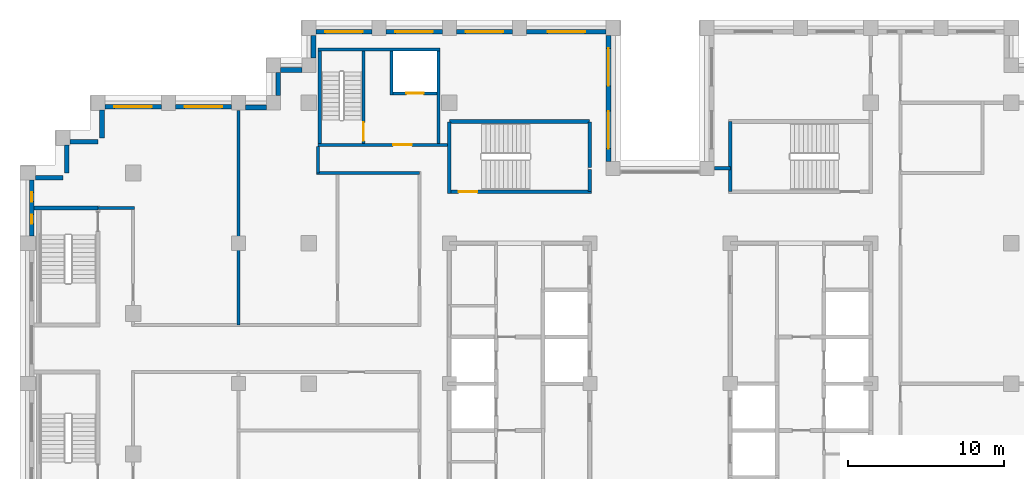
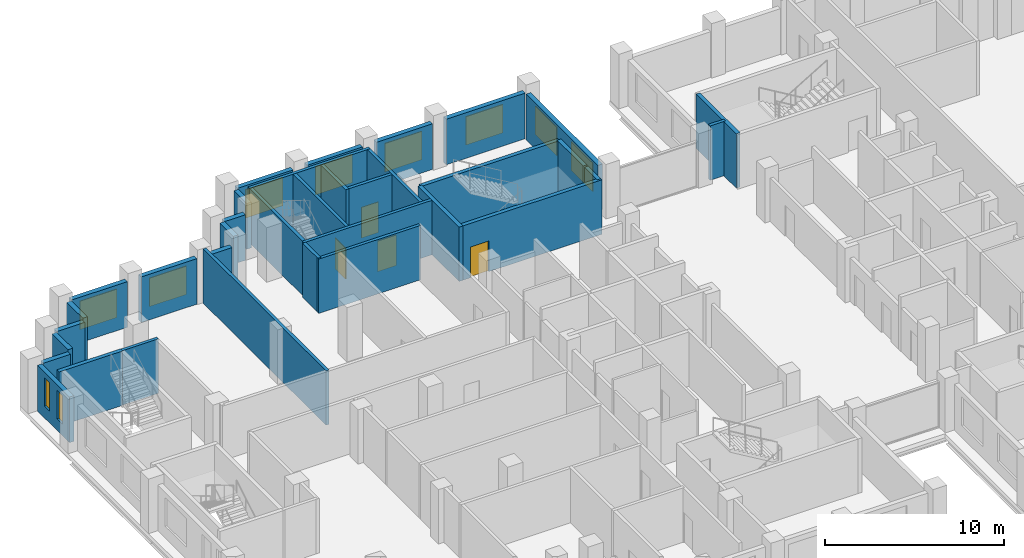
# One storey, part 10 of 15: 35 walls, 10 windows, 4 doors, 14 openings.
"""IFC4 building model written with IfcOpenShell, lengths in metres."""

import ifcopenshell
import ifcopenshell.guid

model = None  # the IFC model being written
_history = None  # IfcOwnerHistory: only IFC2X3 demands one
_inside = {}  # id of a spatial element -> (the spatial element, [elements in it])
_under = {}  # id of a project, library or spatial element -> (it, [spatial elements below it])
_declared = {}  # id of a project -> (the project, [libraries it declares])
_typed = {}  # id of a type object -> (the type object, [elements of that type])
_made_of = {}  # id of a material, layer set ... -> (it, [elements and type objects made of it])


def new_model(schema):
    """Start an empty IFC model of exactly this schema.

    Asked for "IFC4X3", IfcOpenShell would pick the latest addendum, in which some entities
    have other attributes; the version numbers below select the first issue.
    IFC2X3 requires an IfcOwnerHistory on every rooted entity: one is made here for all.
    """
    global model, _history
    if schema == "IFC4X3":
        model = ifcopenshell.file(schema_version=(4, 3, 0, 0))
    else:
        model = ifcopenshell.file(schema=schema)
    _inside.clear()
    _under.clear()
    _declared.clear()
    _typed.clear()
    _made_of.clear()
    _history = None
    if model.schema == "IFC2X3":
        org = make("IfcOrganization", Name="unknown")
        user = make(
            "IfcPersonAndOrganization",
            ThePerson=make("IfcPerson", FamilyName="unknown"),
            TheOrganization=org,
        )
        app = make(
            "IfcApplication",
            ApplicationDeveloper=org,
            Version="unknown",
            ApplicationFullName="unknown",
            ApplicationIdentifier="unknown",
        )
        _history = make(
            "IfcOwnerHistory",
            OwningUser=user,
            OwningApplication=app,
            ChangeAction="ADDED",
            CreationDate=0,
        )
    return model


def make(cls, **values):
    """One entity of the class cls with the attributes given. An attribute that is None is left unset."""
    return model.create_entity(
        cls, **{name: value for name, value in values.items() if value is not None}
    )


def rooted(cls, **values):
    """An entity with a GlobalId (a new one), such as an element, a storey or a relation."""
    return make(cls, GlobalId=ifcopenshell.guid.new(), OwnerHistory=_history, **values)


def si_unit(unit_type, name, prefix=None):
    """IfcSIUnit, for example si_unit("LENGTHUNIT", "METRE", prefix="MILLI")."""
    return make("IfcSIUnit", UnitType=unit_type, Prefix=prefix, Name=name)


def assignment(units):
    """IfcUnitAssignment: the units of a project."""
    return None if units is None else make("IfcUnitAssignment", Units=units)


def point(xyz):
    """IfcCartesianPoint."""
    return None if xyz is None else make("IfcCartesianPoint", Coordinates=xyz)


def direction(xyz):
    """IfcDirection."""
    return None if xyz is None else make("IfcDirection", DirectionRatios=xyz)


def frame(location, z_axis=None, x_axis=None):
    """IfcAxis2Placement3D, a coordinate frame: its origin and axes. An axis left out is left unset."""
    return make(
        "IfcAxis2Placement3D",
        Location=point(location),
        Axis=direction(z_axis),
        RefDirection=direction(x_axis),
    )


def frame_2d(location, x_axis=None):
    """IfcAxis2Placement2D, a coordinate frame in the plane: its origin and x axis."""
    return make(
        "IfcAxis2Placement2D", Location=point(location), RefDirection=direction(x_axis)
    )


def origin():
    """The frame at (0, 0, 0) with its axes left unset."""
    return frame((0.0, 0.0, 0.0))


def place(relative_to, where):
    """IfcLocalPlacement: puts the frame where relative to a parent placement (None: the world)."""
    return make(
        "IfcLocalPlacement", PlacementRelTo=relative_to, RelativePlacement=where
    )


def context(
    kind, dimensions, precision=None, world=None, true_north=None, identifier=None
):
    """IfcGeometricRepresentationContext, for example the 3D "Model" context."""
    return make(
        "IfcGeometricRepresentationContext",
        ContextIdentifier=identifier,
        ContextType=kind,
        CoordinateSpaceDimension=dimensions,
        Precision=precision,
        WorldCoordinateSystem=world,
        TrueNorth=true_north,
    )


def subcontext(parent, identifier, kind, view, scale=None):
    """IfcGeometricRepresentationSubContext, for example "Body" below "Model"."""
    return make(
        "IfcGeometricRepresentationSubContext",
        ContextIdentifier=identifier,
        ContextType=kind,
        ParentContext=parent,
        TargetScale=scale,
        TargetView=view,
    )


def project(units=None, contexts=None):
    """IfcProject with its units and contexts."""
    return rooted(
        "IfcProject",
        Name="project",
        RepresentationContexts=contexts,
        UnitsInContext=assignment(units),
    )


def spatial(cls, under=None, at=None, **own):
    """A site, building, storey or space (cls), placed at a placement, below another one or the project."""
    s = rooted(cls, ObjectPlacement=at, **own)
    if under is not None:
        _under.setdefault(under.id(), (under, []))[1].append(s)
    return s


def profile(cls, at=None, kind="AREA", **sizes):
    """A parametric profile (cls). Its sizes go by their IFC names, for example OverallWidth=200.0."""
    return make(cls, ProfileType=kind, Position=at, **sizes)


def rectangle(**sizes):
    """IfcRectangleProfileDef."""
    return profile("IfcRectangleProfileDef", **sizes)


def extrude(swept, where, along, depth):
    """IfcExtrudedAreaSolid: the profile swept, set in the frame where, extruded along a direction by depth."""
    return make(
        "IfcExtrudedAreaSolid",
        SweptArea=swept,
        Position=where,
        ExtrudedDirection=direction(along),
        Depth=depth,
    )


def shape(context_of_items, identifier, shape_type, items):
    """IfcShapeRepresentation: the items that make up one representation, for example the "Body"."""
    return make(
        "IfcShapeRepresentation",
        ContextOfItems=context_of_items,
        RepresentationIdentifier=identifier,
        RepresentationType=shape_type,
        Items=items,
    )


def material(Name=None, Category=None):
    """IfcMaterial."""
    return make("IfcMaterial", Name=Name, Category=Category)


def layer(
    of_material, thickness, ventilated=None, Name=None, Category=None, Priority=None
):
    """IfcMaterialLayer: one layer of a wall or slab, of a material (None: an air gap)."""
    return make(
        "IfcMaterialLayer",
        Material=of_material,
        LayerThickness=thickness,
        IsVentilated=ventilated,
        Name=Name,
        Category=Category,
        Priority=Priority,
    )


def layer_set(layers, Name=None):
    """IfcMaterialLayerSet."""
    return make("IfcMaterialLayerSet", MaterialLayers=layers, LayerSetName=Name)


def made_of(thing, what):
    """Note that an element or type object is made of a material, layer set ...; save() writes the relation."""
    if what is not None:
        _made_of.setdefault(what.id(), (what, []))[1].append(thing)
    return thing


def type_object(cls, material=None, **own):
    """A type object (cls), such as IfcWallType, which elements share."""
    return made_of(rooted(cls, **own), material)


def element(
    cls,
    number,
    at=None,
    inside=None,
    cuts=None,
    type_object=None,
    material=None,
    context=None,
    identifier="Body",
    shape_type=None,
    held_by="IfcProductDefinitionShape",
    body=None,
    shapes=None,
    **own,
):
    """One element of the class cls, such as IfcWall. Its Tag is "e" and its number.

    at: its placement. inside: the storey or other place that contains it. cuts: it is an
    opening in that element (IfcRelVoidsElement). A single representation is given by context,
    identifier, shape_type and body (its items); several are given by shapes. held_by: the class
    of the entity that holds the representations. save() writes the other relations.
    """
    e = rooted(cls, Tag="e%d" % number, ObjectPlacement=at, **own)
    if body is not None:
        shapes = [shape(context, identifier, shape_type, body)]
    if shapes is not None:
        e.Representation = make(held_by, Representations=shapes)
    if inside is not None:
        _inside.setdefault(inside.id(), (inside, []))[1].append(e)
    if cuts is not None:
        rooted(
            "IfcRelVoidsElement", RelatingBuildingElement=cuts, RelatedOpeningElement=e
        )
    if type_object is not None:
        _typed.setdefault(type_object.id(), (type_object, []))[1].append(e)
    return made_of(e, material)


def fill(opening, filler):
    """IfcRelFillsElement: the door or window that sits in an opening."""
    return rooted(
        "IfcRelFillsElement",
        RelatingOpeningElement=opening,
        RelatedBuildingElement=filler,
    )


def aggregate(whole, parts):
    """IfcRelAggregates: a whole, such as a stair, and the parts it consists of."""
    return rooted("IfcRelAggregates", RelatingObject=whole, RelatedObjects=parts)


def save(model, path):
    """Write the relations noted so far, then the file.

    IfcRelAggregates (storeys below a building ...), IfcRelContainedInSpatialStructure (elements
    in a storey), IfcRelDefinesByType, IfcRelAssociatesMaterial and IfcRelDeclares: one each for
    every whole, place, type object, material and project.
    """
    for whole, parts in _under.values():
        aggregate(whole, parts)
    for where, things in _inside.values():
        rooted(
            "IfcRelContainedInSpatialStructure",
            RelatedElements=things,
            RelatingStructure=where,
        )
    for kind, things in _typed.values():
        rooted("IfcRelDefinesByType", RelatedObjects=things, RelatingType=kind)
    for what, things in _made_of.values():
        rooted("IfcRelAssociatesMaterial", RelatedObjects=things, RelatingMaterial=what)
    for by, libraries in _declared.values():
        rooted("IfcRelDeclares", RelatingContext=by, RelatedDefinitions=libraries)
    model.write(path)


model = new_model("IFC4")

# Units and contexts
model_context = context("Model", 3, precision=1e-05, world=origin(), true_north=direction((0.0, 1.0)))
body_context = subcontext(model_context, "Body", "Model", "MODEL_VIEW")
ifc_project = project(units=[si_unit("LENGTHUNIT", "METRE"), si_unit("AREAUNIT", "SQUARE_METRE"), si_unit("VOLUMEUNIT", "CUBIC_METRE"), si_unit("PLANEANGLEUNIT", "RADIAN"), si_unit("MASSUNIT", "GRAM", prefix="KILO")], contexts=[model_context])

# Site, building, storey
site_placement = place(None, origin())
site = spatial("IfcSite", under=ifc_project, at=site_placement, CompositionType="ELEMENT")
building_placement = place(site_placement, origin())
building = spatial("IfcBuilding", under=site, at=building_placement, Name="Corbelhall Arena Tower", CompositionType="ELEMENT")
storey_placement = place(building_placement, frame((0.0, 0.0, 212.0)))
storey = spatial("IfcBuildingStorey", under=building, at=storey_placement, Name="L44", CompositionType="ELEMENT", Elevation=212.0)

# Walls
ifc_material_1 = material(Name="Precast concrete C40/50 with granite facing", Category="masonry")
ifc_layer_1 = layer(ifc_material_1, 0.300048828125)
ifc_layer_set_1 = layer_set([ifc_layer_1], Name="EV-IW1 Infill panel 300")
wall_type_1 = type_object("IfcWallType", Name="EV-IW1 Infill panel 300", PredefinedType="SOLIDWALL", material=ifc_layer_set_1)
for number, where, z_axis, x_axis, name in (
    (1, (-35.75, 17.550048828125, 0.0), (0.0, 0.0, 1.0), (0.0, -1.0, 0.0), "Infill panel IW1"),
    (2, (-37.800048828125, 15.5, 0.0), (0.0, 0.0, 1.0), (1.0, 0.0, 0.0), "Infill panel IW1"),
    (3, (-38.0, 15.300048828125, 0.0), (0.0, 0.0, 1.0), (0.0, -1.0, 0.0), "Infill panel IW1"),
):
    element("IfcWall", number, at=place(storey_placement, frame(where, z_axis=z_axis, x_axis=x_axis)), inside=storey, type_object=wall_type_1, Name=name, PredefinedType="SOLIDWALL", context=body_context, shape_type="SweptSolid", body=[
        extrude(rectangle(XDim=1.800048828125, YDim=0.300048828125, at=frame_2d((0.89990234375, 0.0))), origin(), (0.0, 0.0, 1.0), 3.1201171875),
    ])
wall_1_placement = place(storey_placement, frame((-40.0, 13.199951171875, 0.0), z_axis=(0.0, 0.0, 1.0), x_axis=(1.0, 0.0, 0.0)))
element("IfcWall", 4, at=wall_1_placement, inside=storey, type_object=wall_type_1, Name="Infill panel IW1", PredefinedType="SOLIDWALL", context=body_context, shape_type="SweptSolid", body=[
    extrude(rectangle(XDim=1.75, YDim=0.300048828125, at=frame_2d((0.875, 0.0))), origin(), (0.0, 0.0, 1.0), 3.1201171875),
])
wall_2_placement = place(storey_placement, frame((-22.949951171875, 20.10009765625, 0.0), z_axis=(0.0, 0.0, 1.0), x_axis=(-1.0, 0.0, 0.0)))
element("IfcWall", 5, at=wall_2_placement, inside=storey, type_object=wall_type_1, Name="Infill panel IW1", PredefinedType="SOLIDWALL", context=body_context, shape_type="SweptSolid", body=[
    extrude(rectangle(XDim=1.35009765625, YDim=0.300048828125, at=frame_2d((0.675048828125, 0.0))), origin(), (0.0, 0.0, 1.0), 3.1201171875),
])
wall_3_placement = place(storey_placement, frame((-24.449951171875, 19.949951171875, 0.0), z_axis=(0.0, 0.0, 1.0), x_axis=(0.0, -1.0, 0.0)))
element("IfcWall", 6, at=wall_3_placement, inside=storey, type_object=wall_type_1, Name="Infill panel IW1", PredefinedType="SOLIDWALL", context=body_context, shape_type="SweptSolid", body=[
    extrude(rectangle(XDim=1.5, YDim=0.300048828125, at=frame_2d((0.75, 0.0))), origin(), (0.0, 0.0, 1.0), 3.1201171875),
])
wall_4_placement = place(storey_placement, frame((-25.199951171875, 17.699951171875, 0.0), z_axis=(0.0, 0.0, 1.0), x_axis=(-1.0, 0.0, 0.0)))
element("IfcWall", 7, at=wall_4_placement, inside=storey, type_object=wall_type_1, Name="Infill panel IW1", PredefinedType="SOLIDWALL", context=body_context, shape_type="SweptSolid", body=[
    extrude(rectangle(XDim=1.35009765625, YDim=0.300048828125, at=frame_2d((0.675048828125, 0.0))), origin(), (0.0, 0.0, 1.0), 3.1201171875),
])

# Wall, opening, window
wall_5_placement = place(storey_placement, frame((-27.449951171875, 17.75, 0.0), z_axis=(0.0, 0.0, 1.0), x_axis=(-1.0, 0.0, 0.0)))
wall_5 = element("IfcWall", 8, at=wall_5_placement, inside=storey, type_object=wall_type_1, Name="Infill panel IW1", PredefinedType="SOLIDWALL", context=body_context, shape_type="SweptSolid", body=[
    extrude(rectangle(XDim=3.60009765625, YDim=0.300048828125, at=frame_2d((1.800048828125, 0.0))), origin(), (0.0, 0.0, 1.0), 3.1201171875),
])
opening_1_placement = place(wall_5_placement, frame((0.60009765625, 0.0, 0.800048828125)))
opening_1 = element("IfcOpeningElement", 9, at=opening_1_placement, cuts=wall_5, Name="Opening WN1", PredefinedType="OPENING", context=body_context, shape_type="SweptSolid", body=[
    extrude(rectangle(XDim=2.39990234375, YDim=1.949951171875, at=frame_2d((1.199951171875, 0.97509765625))), frame((0.0, 0.14990234375, 0.0), z_axis=(0.0, -1.0, 0.0), x_axis=(1.0, 0.0, 0.0)), (0.0, 0.0, 1.0), 0.300048828125),
])
ifc_material_2 = material(Name="Aluminium black anodised", Category="aluminium")
window_type_1 = type_object("IfcWindowType", Name="EV-WN1 Office window", PartitioningType="SINGLE_PANEL", PredefinedType="WINDOW", material=ifc_material_2)
window_1_placement = place(opening_1_placement, origin())
window_1 = element("IfcWindow", 10, at=window_1_placement, inside=storey, type_object=window_type_1, Name="Window WN1", OverallHeight=1.949951171875, OverallWidth=2.39990234375, PartitioningType="SINGLE_PANEL", PredefinedType="WINDOW", context=body_context, shape_type="SweptSolid", body=[
    extrude(rectangle(XDim=2.39990234375, YDim=1.949951171875, at=frame_2d((1.199951171875, 0.97509765625))), frame((0.0, 0.030029296875, 0.0), z_axis=(0.0, -1.0, 0.0), x_axis=(1.0, 0.0, 0.0)), (0.0, 0.0, 1.0), 0.06005859375),
])
fill(opening_1, window_1)

wall_6_placement = place(storey_placement, frame((-31.949951171875, 17.75, 0.0), z_axis=(0.0, 0.0, 1.0), x_axis=(-1.0, 0.0, 0.0)))
wall_6 = element("IfcWall", 11, at=wall_6_placement, inside=storey, type_object=wall_type_1, Name="Infill panel IW1", PredefinedType="SOLIDWALL", context=body_context, shape_type="SweptSolid", body=[
    extrude(rectangle(XDim=3.60009765625, YDim=0.300048828125, at=frame_2d((1.800048828125, 0.0))), origin(), (0.0, 0.0, 1.0), 3.1201171875),
])
opening_2_placement = place(wall_6_placement, frame((0.60009765625, 0.0, 0.800048828125)))
opening_2 = element("IfcOpeningElement", 12, at=opening_2_placement, cuts=wall_6, Name="Opening WN1", PredefinedType="OPENING", context=body_context, shape_type="SweptSolid", body=[
    extrude(rectangle(XDim=2.39990234375, YDim=1.949951171875, at=frame_2d((1.199951171875, 0.97509765625))), frame((0.0, 0.14990234375, 0.0), z_axis=(0.0, -1.0, 0.0), x_axis=(1.0, 0.0, 0.0)), (0.0, 0.0, 1.0), 0.300048828125),
])
window_2_placement = place(opening_2_placement, origin())
window_2 = element("IfcWindow", 13, at=window_2_placement, inside=storey, type_object=window_type_1, Name="Window WN1", OverallHeight=1.949951171875, OverallWidth=2.39990234375, PartitioningType="SINGLE_PANEL", PredefinedType="WINDOW", context=body_context, shape_type="SweptSolid", body=[
    extrude(rectangle(XDim=2.39990234375, YDim=1.949951171875, at=frame_2d((1.199951171875, 0.97509765625))), frame((0.0, 0.030029296875, 0.0), z_axis=(0.0, -1.0, 0.0), x_axis=(1.0, 0.0, 0.0)), (0.0, 0.0, 1.0), 0.06005859375),
])
fill(opening_2, window_2)

# Wall, openings, windows
wall_7_placement = place(storey_placement, frame((-40.25, 13.050048828125, 0.0), z_axis=(0.0, 0.0, 1.0), x_axis=(0.0, -1.0, 0.0)))
wall_7 = element("IfcWall", 14, at=wall_7_placement, inside=storey, type_object=wall_type_1, Name="Infill panel IW1", PredefinedType="SOLIDWALL", context=body_context, shape_type="SweptSolid", body=[
    extrude(rectangle(XDim=3.60009765625, YDim=0.300048828125, at=frame_2d((1.800048828125, 0.0))), origin(), (0.0, 0.0, 1.0), 3.1201171875),
])
opening_3_placement = place(wall_7_placement, frame((0.78759765625, 0.0, 0.800048828125)))
opening_3 = element("IfcOpeningElement", 15, at=opening_3_placement, cuts=wall_7, Name="Opening WN5", PredefinedType="OPENING", context=body_context, shape_type="SweptSolid", body=[
    extrude(rectangle(XDim=0.60009765625, YDim=1.949951171875, at=frame_2d((0.300048828125, 0.97509765625))), frame((0.0, 0.14990234375, 0.0), z_axis=(0.0, -1.0, 0.0), x_axis=(1.0, 0.0, 0.0)), (0.0, 0.0, 1.0), 0.300048828125),
])
opening_4_placement = place(wall_7_placement, frame((2.21240234375, 0.0, 0.800048828125)))
opening_4 = element("IfcOpeningElement", 16, at=opening_4_placement, cuts=wall_7, Name="Opening WN5", PredefinedType="OPENING", context=body_context, shape_type="SweptSolid", body=[
    extrude(rectangle(XDim=0.60009765625, YDim=1.949951171875, at=frame_2d((0.300048828125, 0.97509765625))), frame((0.0, 0.14990234375, 0.0), z_axis=(0.0, -1.0, 0.0), x_axis=(1.0, 0.0, 0.0)), (0.0, 0.0, 1.0), 0.300048828125),
])
window_type_2 = type_object("IfcWindowType", Name="EV-WN5 Office window 600", PartitioningType="SINGLE_PANEL", PredefinedType="WINDOW", material=ifc_material_2)
window_3_placement = place(opening_3_placement, origin())
window_3 = element("IfcWindow", 17, at=window_3_placement, inside=storey, type_object=window_type_2, Name="Window WN5", OverallHeight=1.949951171875, OverallWidth=0.60009765625, PartitioningType="SINGLE_PANEL", PredefinedType="WINDOW", context=body_context, shape_type="SweptSolid", body=[
    extrude(rectangle(XDim=0.60009765625, YDim=1.949951171875, at=frame_2d((0.300048828125, 0.97509765625))), frame((0.0, 0.030029296875, 0.0), z_axis=(0.0, -1.0, 0.0), x_axis=(1.0, 0.0, 0.0)), (0.0, 0.0, 1.0), 0.06005859375),
])
fill(opening_3, window_3)
window_4_placement = place(opening_4_placement, origin())
window_4 = element("IfcWindow", 18, at=window_4_placement, inside=storey, type_object=window_type_2, Name="Window WN5", OverallHeight=1.949951171875, OverallWidth=0.60009765625, PartitioningType="SINGLE_PANEL", PredefinedType="WINDOW", context=body_context, shape_type="SweptSolid", body=[
    extrude(rectangle(XDim=0.60009765625, YDim=1.949951171875, at=frame_2d((0.300048828125, 0.97509765625))), frame((0.0, 0.030029296875, 0.0), z_axis=(0.0, -1.0, 0.0), x_axis=(1.0, 0.0, 0.0)), (0.0, 0.0, 1.0), 0.06005859375),
])
fill(opening_4, window_4)

wall_8_placement = place(storey_placement, frame((-3.300048828125, 14.25, 0.0), z_axis=(0.0, 0.0, 1.0), x_axis=(0.0, 1.0, 0.0)))
wall_8 = element("IfcWall", 19, at=wall_8_placement, inside=storey, type_object=wall_type_1, Name="Infill panel IW1", PredefinedType="SOLIDWALL", context=body_context, shape_type="SweptSolid", body=[
    extrude(rectangle(XDim=8.050048828125, YDim=0.300048828125, at=frame_2d((4.02490234375, 0.0))), origin(), (0.0, 0.0, 1.0), 3.1201171875),
])
opening_5_placement = place(wall_8_placement, frame((0.8125, 0.0, 0.800048828125)))
opening_5 = element("IfcOpeningElement", 20, at=opening_5_placement, cuts=wall_8, Name="Opening WN1", PredefinedType="OPENING", context=body_context, shape_type="SweptSolid", body=[
    extrude(rectangle(XDim=2.39990234375, YDim=1.949951171875, at=frame_2d((1.199951171875, 0.97509765625))), frame((0.0, 0.14990234375, 0.0), z_axis=(0.0, -1.0, 0.0), x_axis=(1.0, 0.0, 0.0)), (0.0, 0.0, 1.0), 0.300048828125),
])
opening_6_placement = place(wall_8_placement, frame((4.83740234375, 0.0, 0.800048828125)))
opening_6 = element("IfcOpeningElement", 21, at=opening_6_placement, cuts=wall_8, Name="Opening WN1", PredefinedType="OPENING", context=body_context, shape_type="SweptSolid", body=[
    extrude(rectangle(XDim=2.39990234375, YDim=1.949951171875, at=frame_2d((1.199951171875, 0.97509765625))), frame((0.0, 0.14990234375, 0.0), z_axis=(0.0, -1.0, 0.0), x_axis=(1.0, 0.0, 0.0)), (0.0, 0.0, 1.0), 0.300048828125),
])
window_5_placement = place(opening_5_placement, origin())
window_5 = element("IfcWindow", 22, at=window_5_placement, inside=storey, type_object=window_type_1, Name="Window WN1", OverallHeight=1.949951171875, OverallWidth=2.39990234375, PartitioningType="SINGLE_PANEL", PredefinedType="WINDOW", context=body_context, shape_type="SweptSolid", body=[
    extrude(rectangle(XDim=2.39990234375, YDim=1.949951171875, at=frame_2d((1.199951171875, 0.97509765625))), frame((0.0, 0.030029296875, 0.0), z_axis=(0.0, -1.0, 0.0), x_axis=(1.0, 0.0, 0.0)), (0.0, 0.0, 1.0), 0.06005859375),
])
fill(opening_5, window_5)
window_6_placement = place(opening_6_placement, origin())
window_6 = element("IfcWindow", 23, at=window_6_placement, inside=storey, type_object=window_type_1, Name="Window WN1", OverallHeight=1.949951171875, OverallWidth=2.39990234375, PartitioningType="SINGLE_PANEL", PredefinedType="WINDOW", context=body_context, shape_type="SweptSolid", body=[
    extrude(rectangle(XDim=2.39990234375, YDim=1.949951171875, at=frame_2d((1.199951171875, 0.97509765625))), frame((0.0, 0.030029296875, 0.0), z_axis=(0.0, -1.0, 0.0), x_axis=(1.0, 0.0, 0.0)), (0.0, 0.0, 1.0), 0.06005859375),
])
fill(opening_6, window_6)

# Wall, opening, window
wall_9_placement = place(storey_placement, frame((-3.449951171875, 22.550048828125, 0.0), z_axis=(0.0, 0.0, 1.0), x_axis=(-1.0, 0.0, 0.0)))
wall_9 = element("IfcWall", 24, at=wall_9_placement, inside=storey, type_object=wall_type_1, Name="Infill panel IW1", PredefinedType="SOLIDWALL", context=body_context, shape_type="SweptSolid", body=[
    extrude(rectangle(XDim=5.10009765625, YDim=0.300048828125, at=frame_2d((2.550048828125, 0.0))), origin(), (0.0, 0.0, 1.0), 3.1201171875),
])
opening_7_placement = place(wall_9_placement, frame((1.35009765625, 0.0, 0.800048828125)))
opening_7 = element("IfcOpeningElement", 25, at=opening_7_placement, cuts=wall_9, Name="Opening WN1", PredefinedType="OPENING", context=body_context, shape_type="SweptSolid", body=[
    extrude(rectangle(XDim=2.39990234375, YDim=1.949951171875, at=frame_2d((1.199951171875, 0.97509765625))), frame((0.0, 0.14990234375, 0.0), z_axis=(0.0, -1.0, 0.0), x_axis=(1.0, 0.0, 0.0)), (0.0, 0.0, 1.0), 0.300048828125),
])
window_7_placement = place(opening_7_placement, origin())
window_7 = element("IfcWindow", 26, at=window_7_placement, inside=storey, type_object=window_type_1, Name="Window WN1", OverallHeight=1.949951171875, OverallWidth=2.39990234375, PartitioningType="SINGLE_PANEL", PredefinedType="WINDOW", context=body_context, shape_type="SweptSolid", body=[
    extrude(rectangle(XDim=2.39990234375, YDim=1.949951171875, at=frame_2d((1.199951171875, 0.97509765625))), frame((0.0, 0.030029296875, 0.0), z_axis=(0.0, -1.0, 0.0), x_axis=(1.0, 0.0, 0.0)), (0.0, 0.0, 1.0), 0.06005859375),
])
fill(opening_7, window_7)

wall_10_placement = place(storey_placement, frame((-9.449951171875, 22.550048828125, 0.0), z_axis=(0.0, 0.0, 1.0), x_axis=(-1.0, 0.0, 0.0)))
wall_10 = element("IfcWall", 27, at=wall_10_placement, inside=storey, type_object=wall_type_1, Name="Infill panel IW1", PredefinedType="SOLIDWALL", context=body_context, shape_type="SweptSolid", body=[
    extrude(rectangle(XDim=3.60009765625, YDim=0.300048828125, at=frame_2d((1.800048828125, 0.0))), origin(), (0.0, 0.0, 1.0), 3.1201171875),
])
opening_8_placement = place(wall_10_placement, frame((0.60009765625, 0.0, 0.800048828125)))
opening_8 = element("IfcOpeningElement", 28, at=opening_8_placement, cuts=wall_10, Name="Opening WN1", PredefinedType="OPENING", context=body_context, shape_type="SweptSolid", body=[
    extrude(rectangle(XDim=2.39990234375, YDim=1.949951171875, at=frame_2d((1.199951171875, 0.97509765625))), frame((0.0, 0.14990234375, 0.0), z_axis=(0.0, -1.0, 0.0), x_axis=(1.0, 0.0, 0.0)), (0.0, 0.0, 1.0), 0.300048828125),
])
window_8_placement = place(opening_8_placement, origin())
window_8 = element("IfcWindow", 29, at=window_8_placement, inside=storey, type_object=window_type_1, Name="Window WN1", OverallHeight=1.949951171875, OverallWidth=2.39990234375, PartitioningType="SINGLE_PANEL", PredefinedType="WINDOW", context=body_context, shape_type="SweptSolid", body=[
    extrude(rectangle(XDim=2.39990234375, YDim=1.949951171875, at=frame_2d((1.199951171875, 0.97509765625))), frame((0.0, 0.030029296875, 0.0), z_axis=(0.0, -1.0, 0.0), x_axis=(1.0, 0.0, 0.0)), (0.0, 0.0, 1.0), 0.06005859375),
])
fill(opening_8, window_8)

wall_11_placement = place(storey_placement, frame((-13.949951171875, 22.550048828125, 0.0), z_axis=(0.0, 0.0, 1.0), x_axis=(-1.0, 0.0, 0.0)))
wall_11 = element("IfcWall", 30, at=wall_11_placement, inside=storey, type_object=wall_type_1, Name="Infill panel IW1", PredefinedType="SOLIDWALL", context=body_context, shape_type="SweptSolid", body=[
    extrude(rectangle(XDim=3.60009765625, YDim=0.300048828125, at=frame_2d((1.800048828125, 0.0))), origin(), (0.0, 0.0, 1.0), 3.1201171875),
])
opening_9_placement = place(wall_11_placement, frame((0.60009765625, 0.0, 0.800048828125)))
opening_9 = element("IfcOpeningElement", 31, at=opening_9_placement, cuts=wall_11, Name="Opening WN1", PredefinedType="OPENING", context=body_context, shape_type="SweptSolid", body=[
    extrude(rectangle(XDim=2.39990234375, YDim=1.949951171875, at=frame_2d((1.199951171875, 0.97509765625))), frame((0.0, 0.14990234375, 0.0), z_axis=(0.0, -1.0, 0.0), x_axis=(1.0, 0.0, 0.0)), (0.0, 0.0, 1.0), 0.300048828125),
])
window_9_placement = place(opening_9_placement, origin())
window_9 = element("IfcWindow", 32, at=window_9_placement, inside=storey, type_object=window_type_1, Name="Window WN1", OverallHeight=1.949951171875, OverallWidth=2.39990234375, PartitioningType="SINGLE_PANEL", PredefinedType="WINDOW", context=body_context, shape_type="SweptSolid", body=[
    extrude(rectangle(XDim=2.39990234375, YDim=1.949951171875, at=frame_2d((1.199951171875, 0.97509765625))), frame((0.0, 0.030029296875, 0.0), z_axis=(0.0, -1.0, 0.0), x_axis=(1.0, 0.0, 0.0)), (0.0, 0.0, 1.0), 0.06005859375),
])
fill(opening_9, window_9)

wall_12_placement = place(storey_placement, frame((-18.449951171875, 22.550048828125, 0.0), z_axis=(0.0, 0.0, 1.0), x_axis=(-1.0, 0.0, 0.0)))
wall_12 = element("IfcWall", 33, at=wall_12_placement, inside=storey, type_object=wall_type_1, Name="Infill panel IW1", PredefinedType="SOLIDWALL", context=body_context, shape_type="SweptSolid", body=[
    extrude(rectangle(XDim=3.60009765625, YDim=0.300048828125, at=frame_2d((1.800048828125, 0.0))), origin(), (0.0, 0.0, 1.0), 3.1201171875),
])
opening_10_placement = place(wall_12_placement, frame((0.60009765625, 0.0, 0.800048828125)))
opening_10 = element("IfcOpeningElement", 34, at=opening_10_placement, cuts=wall_12, Name="Opening WN1", PredefinedType="OPENING", context=body_context, shape_type="SweptSolid", body=[
    extrude(rectangle(XDim=2.39990234375, YDim=1.949951171875, at=frame_2d((1.199951171875, 0.97509765625))), frame((0.0, 0.14990234375, 0.0), z_axis=(0.0, -1.0, 0.0), x_axis=(1.0, 0.0, 0.0)), (0.0, 0.0, 1.0), 0.300048828125),
])
window_10_placement = place(opening_10_placement, origin())
window_10 = element("IfcWindow", 35, at=window_10_placement, inside=storey, type_object=window_type_1, Name="Window WN1", OverallHeight=1.949951171875, OverallWidth=2.39990234375, PartitioningType="SINGLE_PANEL", PredefinedType="WINDOW", context=body_context, shape_type="SweptSolid", body=[
    extrude(rectangle(XDim=2.39990234375, YDim=1.949951171875, at=frame_2d((1.199951171875, 0.97509765625))), frame((0.0, 0.030029296875, 0.0), z_axis=(0.0, -1.0, 0.0), x_axis=(1.0, 0.0, 0.0)), (0.0, 0.0, 1.0), 0.06005859375),
])
fill(opening_10, window_10)

# Walls
wall_13_placement = place(storey_placement, frame((-22.199951171875, 22.300048828125, 0.0), z_axis=(0.0, 0.0, 1.0), x_axis=(0.0, -1.0, 0.0)))
element("IfcWall", 36, at=wall_13_placement, inside=storey, type_object=wall_type_1, Name="Infill panel IW1", PredefinedType="SOLIDWALL", context=body_context, shape_type="SweptSolid", body=[
    extrude(rectangle(XDim=1.449951171875, YDim=0.300048828125, at=frame_2d((0.72509765625, 0.0))), origin(), (0.0, 0.0, 1.0), 3.1201171875),
])
ifc_material_3 = material(Name="Gypsum board on steel stud, acoustic", Category="steel")
ifc_layer_2 = layer(ifc_material_3, 0.199951171875)
ifc_layer_set_2 = layer_set([ifc_layer_2], Name="IN-W-DM200")
wall_type_2 = type_object("IfcWallType", Name="IN-W-DM200", PredefinedType="PARTITIONING", material=ifc_layer_set_2)
wall_14_placement = place(storey_placement, frame((-36.0, 11.25, 0.0), z_axis=(0.0, 0.0, 1.0), x_axis=(1.0, 0.0, 0.0)))
element("IfcWall", 37, at=wall_14_placement, inside=storey, type_object=wall_type_2, Name="Partition 001", PredefinedType="PARTITIONING", context=body_context, shape_type="SweptSolid", body=[
    extrude(rectangle(XDim=2.35009765625, YDim=0.199951171875, at=frame_2d((1.175048828125, 0.0))), origin(), (0.0, 0.0, 1.0), 3.719970703125),
])
wall_15_placement = place(storey_placement, frame((-27.0, 3.75, 0.0), z_axis=(0.0, 0.0, 1.0), x_axis=(0.0, 1.0, 0.0)))
element("IfcWall", 38, at=wall_15_placement, inside=storey, type_object=wall_type_2, Name="Partition 010", PredefinedType="PARTITIONING", context=body_context, shape_type="SweptSolid", body=[
    extrude(rectangle(XDim=13.75, YDim=0.199951171875, at=frame_2d((6.875, 0.0))), origin(), (0.0, 0.0, 1.0), 3.719970703125),
])
wall_16_placement = place(storey_placement, frame((-21.89990234375, 13.5, 0.0), z_axis=(0.0, 0.0, 1.0), x_axis=(0.0, 1.0, 0.0)))
element("IfcWall", 39, at=wall_16_placement, inside=storey, type_object=wall_type_2, Name="Partition 012", PredefinedType="PARTITIONING", context=body_context, shape_type="SweptSolid", body=[
    extrude(rectangle(XDim=1.699951171875, YDim=0.199951171875, at=frame_2d((0.85009765625, 0.0))), origin(), (0.0, 0.0, 1.0), 3.719970703125),
])
wall_17_placement = place(storey_placement, frame((-15.39990234375, 13.5, 0.0), z_axis=(0.0, 0.0, 1.0), x_axis=(-1.0, 0.0, 0.0)))
element("IfcWall", 40, at=wall_17_placement, inside=storey, type_object=wall_type_2, Name="Partition 014", PredefinedType="PARTITIONING", context=body_context, shape_type="SweptSolid", body=[
    extrude(rectangle(XDim=6.60009765625, YDim=0.199951171875, at=frame_2d((3.300048828125, 0.0))), origin(), (0.0, 0.0, 1.0), 3.719970703125),
])
wall_18_placement = place(storey_placement, frame((3.50048828125, 13.800048828125, 0.0), z_axis=(0.0, 0.0, 1.0), x_axis=(1.0, 0.0, 0.0)))
element("IfcWall", 41, at=wall_18_placement, inside=storey, type_object=wall_type_2, Name="Partition 021", PredefinedType="PARTITIONING", context=body_context, shape_type="SweptSolid", body=[
    extrude(rectangle(XDim=0.9990234375, YDim=0.199951171875, at=frame_2d((0.49951171875, 0.0))), origin(), (0.0, 0.0, 1.0), 3.719970703125),
])

# Wall, opening, door
ifc_material_4 = material(Name="Concrete C40/50", Category="concrete")
ifc_layer_3 = layer(ifc_material_4, 0.199951171875)
ifc_layer_set_3 = layer_set([ifc_layer_3], Name="IN-W-EAR200")
wall_type_3 = type_object("IfcWallType", Name="IN-W-EAR200", PredefinedType="SOLIDWALL", material=ifc_layer_set_3)
wall_19_placement = place(storey_placement, frame((-21.89990234375, 15.300048828125, 0.0), z_axis=(0.0, 0.0, 1.0), x_axis=(1.0, 0.0, 0.0)))
wall_19 = element("IfcWall", 42, at=wall_19_placement, inside=storey, type_object=wall_type_3, Name="Fire service turret wall south", PredefinedType="SOLIDWALL", context=body_context, shape_type="SweptSolid", body=[
    extrude(rectangle(XDim=8.27490234375, YDim=0.199951171875, at=frame_2d((4.137451171875, 0.0))), origin(), (0.0, 0.0, 1.0), 3.719970703125),
])
opening_11_placement = place(wall_19_placement, frame((4.800048828125, 0.0, 0.0)))
opening_11 = element("IfcOpeningElement", 43, at=opening_11_placement, cuts=wall_19, Name="Opening E132", PredefinedType="OPENING", context=body_context, shape_type="SweptSolid", body=[
    extrude(rectangle(XDim=1.199951171875, YDim=2.10009765625, at=frame_2d((0.60009765625, 1.050048828125))), frame((0.0, 0.10009765625, 0.0), z_axis=(0.0, -1.0, 0.0), x_axis=(1.0, 0.0, 0.0)), (0.0, 0.0, 1.0), 0.199951171875),
])
ifc_material_5 = material(Name="Steel door set", Category="steel")
door_type_1 = type_object("IfcDoorType", Name="IN-D-ST120", OperationType="NOTDEFINED", PredefinedType="DOOR", material=ifc_material_5)
door_1_placement = place(opening_11_placement, origin())
door_1 = element("IfcDoor", 44, at=door_1_placement, inside=storey, type_object=door_type_1, Name="Door from fire service lift lobby to circulation", OperationType="SINGLE_SWING_RIGHT", OverallHeight=2.10009765625, OverallWidth=1.199951171875, PredefinedType="DOOR", context=body_context, shape_type="SweptSolid", body=[
    extrude(rectangle(XDim=1.199951171875, YDim=2.10009765625, at=frame_2d((0.60009765625, 1.050048828125))), frame((0.0, 0.02490234375, 0.0), z_axis=(0.0, -1.0, 0.0), x_axis=(1.0, 0.0, 0.0)), (0.0, 0.0, 1.0), 0.050048828125),
])
fill(opening_11, door_1)

# Walls
wall_20_placement = place(storey_placement, frame((-21.89990234375, 21.39990234375, 0.0), z_axis=(0.0, 0.0, 1.0), x_axis=(1.0, 0.0, 0.0)))
element("IfcWall", 45, at=wall_20_placement, inside=storey, type_object=wall_type_3, Name="Fire service turret wall north", PredefinedType="SOLIDWALL", context=body_context, shape_type="SweptSolid", body=[
    extrude(rectangle(XDim=7.7998046875, YDim=0.199951171875, at=frame_2d((3.89990234375, 0.0))), origin(), (0.0, 0.0, 1.0), 3.719970703125),
])
for number, where, z_axis, x_axis, name in (
    (46, (-21.800048828125, 15.39990234375, 0.0), (0.0, 0.0, 1.0), (0.0, 1.0, 0.0), "Fire service turret wall west"),
    (47, (-14.199951171875, 15.39990234375, 0.0), (0.0, 0.0, 1.0), (0.0, 1.0, 0.0), "Fire service turret wall east"),
):
    element("IfcWall", number, at=place(storey_placement, frame(where, z_axis=z_axis, x_axis=x_axis)), inside=storey, type_object=wall_type_3, Name=name, PredefinedType="SOLIDWALL", context=body_context, shape_type="SweptSolid", body=[
        extrude(rectangle(XDim=5.900146484375, YDim=0.199951171875, at=frame_2d((2.9501953125, 0.0))), origin(), (0.0, 0.0, 1.0), 3.719970703125),
    ])

# Wall, opening, door
wall_21_placement = place(storey_placement, frame((-18.989990234375, 15.39990234375, 0.0), z_axis=(0.0, 0.0, 1.0), x_axis=(0.0, 1.0, 0.0)))
wall_21 = element("IfcWall", 48, at=wall_21_placement, inside=storey, type_object=wall_type_3, Name="Fire service turret wall stair", PredefinedType="SOLIDWALL", context=body_context, shape_type="SweptSolid", body=[
    extrude(rectangle(XDim=5.900146484375, YDim=0.199951171875, at=frame_2d((2.9501953125, 0.0))), origin(), (0.0, 0.0, 1.0), 3.719970703125),
])
opening_12_placement = place(wall_21_placement, frame((0.14990234375, 0.0, 0.0)))
opening_12 = element("IfcOpeningElement", 49, at=opening_12_placement, cuts=wall_21, Name="Opening E131", PredefinedType="OPENING", context=body_context, shape_type="SweptSolid", body=[
    extrude(rectangle(XDim=1.199951171875, YDim=2.10009765625, at=frame_2d((0.60009765625, 1.050048828125))), frame((0.0, 0.10009765625, 0.0), z_axis=(0.0, -1.0, 0.0), x_axis=(1.0, 0.0, 0.0)), (0.0, 0.0, 1.0), 0.199951171875),
])
door_2_placement = place(opening_12_placement, origin())
door_2 = element("IfcDoor", 50, at=door_2_placement, inside=storey, type_object=door_type_1, Name="Stair door to fire service lobby", OperationType="SINGLE_SWING_LEFT", OverallHeight=2.10009765625, OverallWidth=1.199951171875, PredefinedType="DOOR", context=body_context, shape_type="SweptSolid", body=[
    extrude(rectangle(XDim=1.199951171875, YDim=2.10009765625, at=frame_2d((0.60009765625, 1.050048828125))), frame((0.0, 0.02490234375, 0.0), z_axis=(0.0, -1.0, 0.0), x_axis=(1.0, 0.0, 0.0)), (0.0, 0.0, 1.0), 0.050048828125),
])
fill(opening_12, door_2)

# Wall
wall_22_placement = place(storey_placement, frame((-17.199951171875, 18.5, 0.0), z_axis=(0.0, 0.0, 1.0), x_axis=(0.0, 1.0, 0.0)))
element("IfcWall", 51, at=wall_22_placement, inside=storey, type_object=wall_type_3, Name="Fire service turret wall hoistway west", PredefinedType="SOLIDWALL", context=body_context, shape_type="SweptSolid", body=[
    extrude(rectangle(XDim=2.800048828125, YDim=0.199951171875, at=frame_2d((1.39990234375, 0.0))), origin(), (0.0, 0.0, 1.0), 3.719970703125),
])

# Wall, opening, door
wall_23_placement = place(storey_placement, frame((-17.10009765625, 18.60009765625, 0.0), z_axis=(0.0, 0.0, 1.0), x_axis=(1.0, 0.0, 0.0)))
wall_23 = element("IfcWall", 52, at=wall_23_placement, inside=storey, type_object=wall_type_3, Name="Fire service turret wall hoistway south", PredefinedType="SOLIDWALL", context=body_context, shape_type="SweptSolid", body=[
    extrude(rectangle(XDim=2.800048828125, YDim=0.199951171875, at=frame_2d((1.39990234375, 0.0))), origin(), (0.0, 0.0, 1.0), 3.719970703125),
])
opening_13_placement = place(wall_23_placement, frame((0.85009765625, 0.0, 0.0)))
opening_13 = element("IfcOpeningElement", 53, at=opening_13_placement, cuts=wall_23, Name="Opening LD", PredefinedType="OPENING", context=body_context, shape_type="SweptSolid", body=[
    extrude(rectangle(XDim=1.10009765625, YDim=2.10009765625, at=frame_2d((0.550048828125, 1.050048828125))), frame((0.0, 0.10009765625, 0.0), z_axis=(0.0, -1.0, 0.0), x_axis=(1.0, 0.0, 0.0)), (0.0, 0.0, 1.0), 0.199951171875),
])
door_type_2 = type_object("IfcDoorType", Name="IN-D-LD110", OperationType="NOTDEFINED", PredefinedType="DOOR", material=ifc_material_5)
door_3_placement = place(opening_13_placement, origin())
door_3 = element("IfcDoor", 54, at=door_3_placement, inside=storey, type_object=door_type_2, Name="Landing door FS1", OperationType="SLIDING_TO_LEFT", OverallHeight=2.10009765625, OverallWidth=1.10009765625, PredefinedType="DOOR", context=body_context, shape_type="SweptSolid", body=[
    extrude(rectangle(XDim=1.10009765625, YDim=2.10009765625, at=frame_2d((0.550048828125, 1.050048828125))), frame((0.0, 0.02490234375, 0.0), z_axis=(0.0, -1.0, 0.0), x_axis=(1.0, 0.0, 0.0)), (0.0, 0.0, 1.0), 0.050048828125),
])
fill(opening_13, door_3)

# Wall
ifc_layer_4 = layer(ifc_material_4, 0.25)
ifc_layer_set_4 = layer_set([ifc_layer_4], Name="IN-W-ST250")
wall_type_4 = type_object("IfcWallType", Name="IN-W-ST250", PredefinedType="SOLIDWALL", material=ifc_layer_set_4)
wall_24_placement = place(storey_placement, frame((-40.10009765625, 11.25, 0.0), z_axis=(0.0, 0.0, 1.0), x_axis=(1.0, 0.0, 0.0)))
element("IfcWall", 55, at=wall_24_placement, inside=storey, type_object=wall_type_4, Name="Shaft wall 076", PredefinedType="SOLIDWALL", context=body_context, shape_type="SweptSolid", body=[
    extrude(rectangle(XDim=4.10009765625, YDim=0.25, at=frame_2d((2.050048828125, 0.0))), origin(), (0.0, 0.0, 1.0), 3.719970703125),
])

# Wall, opening, door
wall_25_placement = place(storey_placement, frame((-13.5, 12.300048828125, 0.0), z_axis=(0.0, 0.0, 1.0), x_axis=(1.0, 0.0, 0.0)))
wall_25 = element("IfcWall", 56, at=wall_25_placement, inside=storey, type_object=wall_type_4, Name="Shaft wall 082", PredefinedType="SOLIDWALL", context=body_context, shape_type="SweptSolid", body=[
    extrude(rectangle(XDim=9.125, YDim=0.25, at=frame_2d((4.5625, 0.0))), origin(), (0.0, 0.0, 1.0), 3.719970703125),
])
opening_14_placement = place(wall_25_placement, frame((0.60009765625, 0.0, 0.0)))
opening_14 = element("IfcOpeningElement", 57, at=opening_14_placement, cuts=wall_25, Name="Opening 13015", PredefinedType="OPENING", context=body_context, shape_type="SweptSolid", body=[
    extrude(rectangle(XDim=1.199951171875, YDim=2.10009765625, at=frame_2d((0.60009765625, 1.050048828125))), frame((0.0, 0.125, 0.0), z_axis=(0.0, -1.0, 0.0), x_axis=(1.0, 0.0, 0.0)), (0.0, 0.0, 1.0), 0.25),
])
door_4_placement = place(opening_14_placement, origin())
door_4 = element("IfcDoor", 58, at=door_4_placement, inside=storey, type_object=door_type_1, Name="Door 015", OperationType="SINGLE_SWING_RIGHT", OverallHeight=2.10009765625, OverallWidth=1.199951171875, PredefinedType="DOOR", context=body_context, shape_type="SweptSolid", body=[
    extrude(rectangle(XDim=1.199951171875, YDim=2.10009765625, at=frame_2d((0.60009765625, 1.050048828125))), frame((0.0, 0.02490234375, 0.0), z_axis=(0.0, -1.0, 0.0), x_axis=(1.0, 0.0, 0.0)), (0.0, 0.0, 1.0), 0.050048828125),
])
fill(opening_14, door_4)

# Walls
wall_26_placement = place(storey_placement, frame((-13.5, 16.780029296875, 0.0), z_axis=(0.0, 0.0, 1.0), x_axis=(0.0, -1.0, 0.0)))
element("IfcWall", 59, at=wall_26_placement, inside=storey, type_object=wall_type_4, Name="Shaft wall 083", PredefinedType="SOLIDWALL", context=body_context, shape_type="SweptSolid", body=[
    extrude(rectangle(XDim=4.60498046875, YDim=0.25, at=frame_2d((2.302490234375, 0.0))), origin(), (0.0, 0.0, 1.0), 3.719970703125),
])
wall_27_placement = place(storey_placement, frame((-13.47998046875, 16.800048828125, 0.0), z_axis=(0.0, 0.0, 1.0), x_axis=(1.0, 0.0, 0.0)))
element("IfcWall", 60, at=wall_27_placement, inside=storey, type_object=wall_type_4, Name="Shaft wall 084", PredefinedType="SOLIDWALL", context=body_context, shape_type="SweptSolid", body=[
    extrude(rectangle(XDim=8.9599609375, YDim=0.25, at=frame_2d((4.47998046875, 0.0))), origin(), (0.0, 0.0, 1.0), 3.719970703125),
])
wall_28_placement = place(storey_placement, frame((-4.5, 13.73291015625, 0.0), z_axis=(0.0, 0.0, 1.0), x_axis=(0.0, -1.0, 0.0)))
element("IfcWall", 61, at=wall_28_placement, inside=storey, type_object=wall_type_4, Name="Shaft wall 087", PredefinedType="SOLIDWALL", context=body_context, shape_type="SweptSolid", body=[
    extrude(rectangle(XDim=1.432861328125, YDim=0.25, at=frame_2d((0.71630859375, 0.0))), origin(), (0.0, 0.0, 1.0), 3.719970703125),
])
wall_29_placement = place(storey_placement, frame((-4.5, 16.780029296875, 0.0), z_axis=(0.0, 0.0, 1.0), x_axis=(0.0, -1.0, 0.0)))
element("IfcWall", 62, at=wall_29_placement, inside=storey, type_object=wall_type_4, Name="Shaft wall 088", PredefinedType="SOLIDWALL", context=body_context, shape_type="SweptSolid", body=[
    extrude(rectangle(XDim=2.9130859375, YDim=0.25, at=frame_2d((1.45654296875, 0.0))), origin(), (0.0, 0.0, 1.0), 3.719970703125),
])
wall_30_placement = place(storey_placement, frame((4.5, 12.300048828125, 0.0), z_axis=(0.0, 0.0, 1.0), x_axis=(0.0, 1.0, 0.0)))
element("IfcWall", 63, at=wall_30_placement, inside=storey, type_object=wall_type_4, Name="Shaft wall 093", PredefinedType="SOLIDWALL", context=body_context, shape_type="SweptSolid", body=[
    extrude(rectangle(XDim=4.5, YDim=0.25, at=frame_2d((2.25, 0.0))), origin(), (0.0, 0.0, 1.0), 3.719970703125),
])

save(model, "model.ifc")
